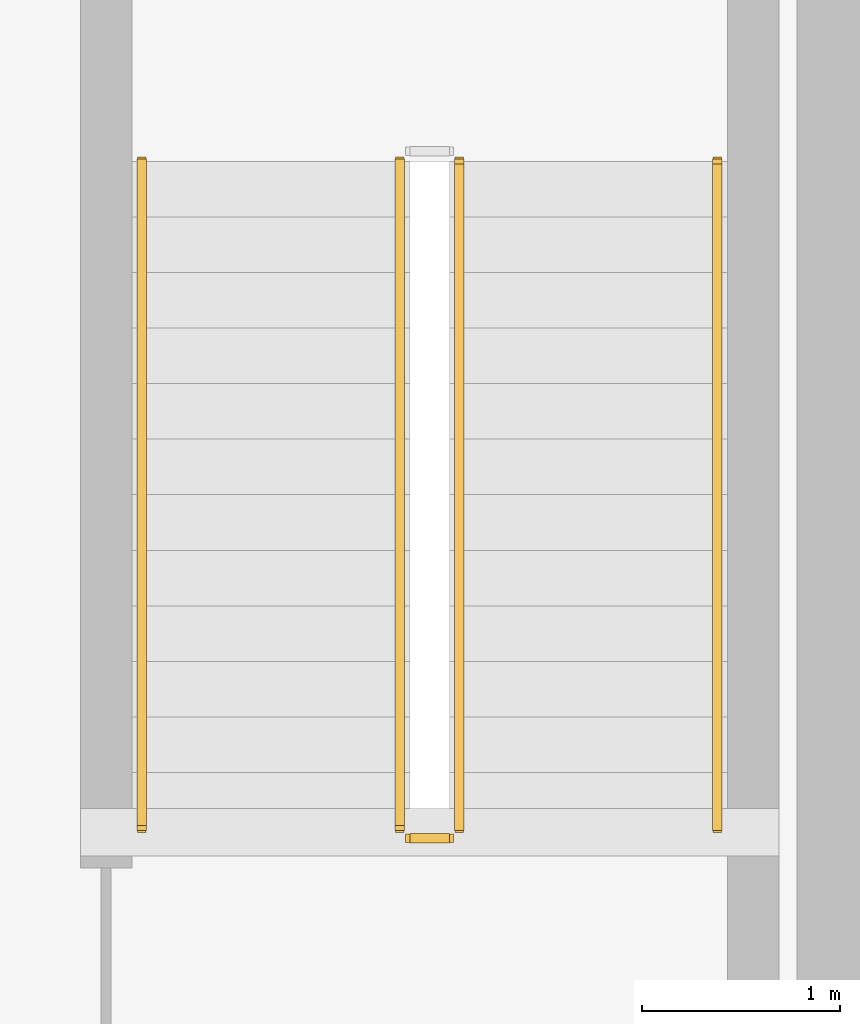
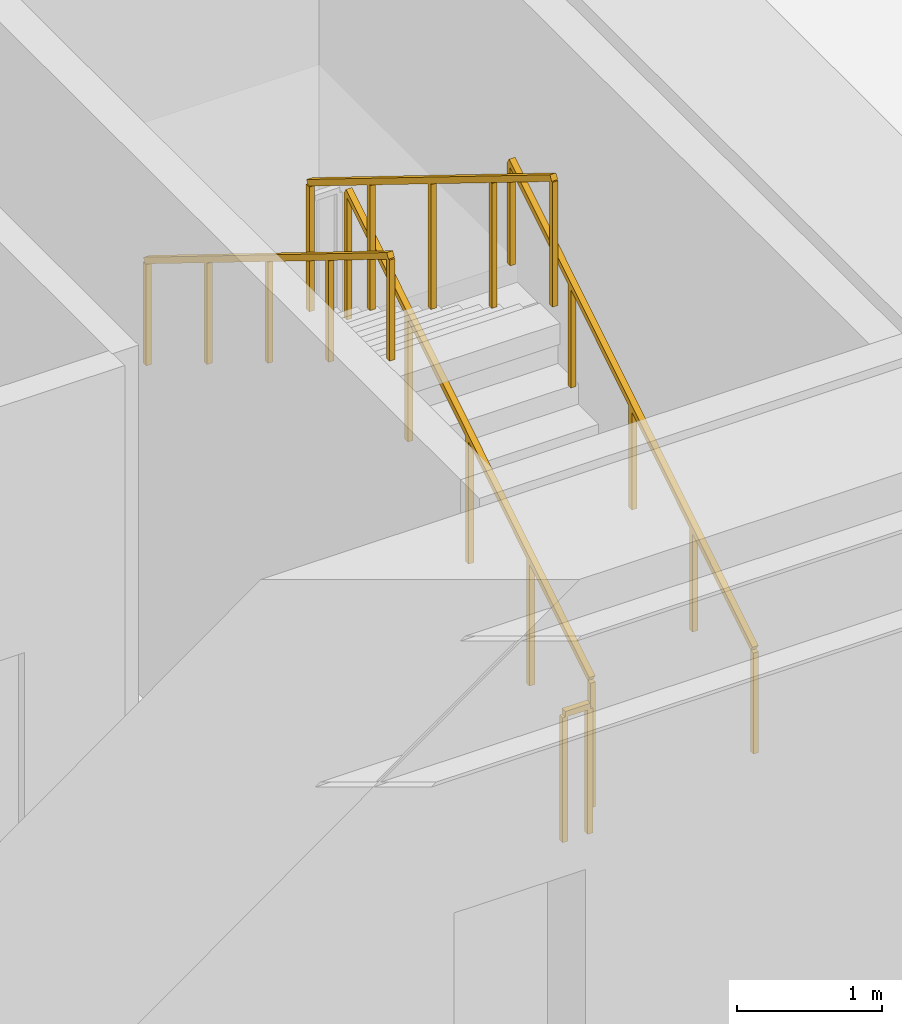
# One storey, part 14 of 20: 5 railings.
"""IFC4 building model written with IfcOpenShell, lengths in metres."""

from ifc_helpers import new_model, si_unit, direction, frame, origin, origin_2d, place, context, subcontext, project, spatial, rectangle, extrude, material, type_object, element, save


model = new_model("IFC4")

# Units and contexts
model_context = context("Model", 3, precision=1e-05, world=origin(), true_north=direction((0.0, 1.0)))
body_context = subcontext(model_context, "Body", "Model", "MODEL_VIEW")
ifc_project = project(units=[si_unit("LENGTHUNIT", "METRE"), si_unit("AREAUNIT", "SQUARE_METRE"), si_unit("VOLUMEUNIT", "CUBIC_METRE"), si_unit("PLANEANGLEUNIT", "RADIAN"), si_unit("MASSUNIT", "GRAM", prefix="KILO")], contexts=[model_context])

# Site, building, storey
site_placement = place(None, origin())
site = spatial("IfcSite", under=ifc_project, at=site_placement, CompositionType="ELEMENT")
building_placement = place(site_placement, origin())
building = spatial("IfcBuilding", under=site, at=building_placement, Name="Kiyonajd Concourse Tower", CompositionType="ELEMENT")
storey_placement = place(building_placement, frame((0.0, 0.0, -4.5)))
storey = spatial("IfcBuildingStorey", under=building, at=storey_placement, Name="B1", CompositionType="ELEMENT", Elevation=-4.5)

# Railings
ifc_material_1 = material(Name="Steel ASTM A500 Grade C", Category="steel")
railing_type_1 = type_object("IfcRailingType", Name="RL-GRD-STR", PredefinedType="GUARDRAIL", material=ifc_material_1)
railing_1_placement = place(storey_placement, frame((60.800048828125, 30.550048828125, 0.173095703125)))
element("IfcRailing", 1, at=railing_1_placement, inside=storey, type_object=railing_type_1, Name="B1 ST2 stair guard 1", PredefinedType="GUARDRAIL", context=body_context, shape_type="SweptSolid", body=[
    extrude(rectangle(XDim=0.048095703125, YDim=0.048095703125, at=origin_2d()), frame((0.0, 0.0, 1.076171875), z_axis=(0.0, 0.850606129759, 0.525803396734), x_axis=(-1.0, 0.0, 0.0)), (0.0, 0.0, 1.0), 3.949951171875),
    extrude(rectangle(XDim=0.0419921875, YDim=0.0419921875, at=origin_2d()), origin(), (0.0, 0.0, 1.0), 1.052001953125),
    extrude(rectangle(XDim=0.0419921875, YDim=0.0419921875, at=origin_2d()), frame((0.0, 0.83984375, 0.519287109375)), (0.0, 0.0, 1.0), 1.052001953125),
    extrude(rectangle(XDim=0.0419921875, YDim=0.0419921875, at=origin_2d()), frame((0.0, 1.679931640625, 1.03857421875)), (0.0, 0.0, 1.0), 1.052001953125),
    extrude(rectangle(XDim=0.0419921875, YDim=0.0419921875, at=origin_2d()), frame((0.0, 2.52001953125, 1.5576171875)), (0.0, 0.0, 1.0), 1.052001953125),
    extrude(rectangle(XDim=0.0419921875, YDim=0.0419921875, at=origin_2d()), frame((0.0, 3.35986328125, 2.076904296875)), (0.0, 0.0, 1.0), 1.052001953125),
])
railing_2_placement = place(storey_placement, frame((60.5, 33.909912109375, 2.423095703125)))
element("IfcRailing", 2, at=railing_2_placement, inside=storey, type_object=railing_type_1, Name="B1 ST2 stair guard 3", PredefinedType="GUARDRAIL", context=body_context, shape_type="SweptSolid", body=[
    extrude(rectangle(XDim=0.048095703125, YDim=0.048095703125, at=origin_2d()), frame((0.0, 0.0, 1.076171875), z_axis=(0.0, -0.850606129759, 0.525803396734), x_axis=(1.0, 0.0, 0.0)), (0.0, 0.0, 1.0), 3.949951171875),
    extrude(rectangle(XDim=0.0419921875, YDim=0.0419921875, at=origin_2d()), origin(), (0.0, 0.0, 1.0), 1.052001953125),
    extrude(rectangle(XDim=0.0419921875, YDim=0.0419921875, at=origin_2d()), frame((0.0, -0.83984375, 0.519287109375)), (0.0, 0.0, 1.0), 1.052001953125),
    extrude(rectangle(XDim=0.0419921875, YDim=0.0419921875, at=origin_2d()), frame((0.0, -1.679931640625, 1.03857421875)), (0.0, 0.0, 1.0), 1.052001953125),
    extrude(rectangle(XDim=0.0419921875, YDim=0.0419921875, at=origin_2d()), frame((0.0, -2.52001953125, 1.5576171875)), (0.0, 0.0, 1.0), 1.052001953125),
    extrude(rectangle(XDim=0.0419921875, YDim=0.0419921875, at=origin_2d()), frame((0.0, -3.35986328125, 2.076904296875)), (0.0, 0.0, 1.0), 1.052001953125),
])
railing_3_placement = place(storey_placement, frame((60.75, 30.5, 0.0)))
element("IfcRailing", 3, at=railing_3_placement, inside=storey, type_object=railing_type_1, Name="B1 ST2 stair guard 4", PredefinedType="GUARDRAIL", context=body_context, shape_type="SweptSolid", body=[
    extrude(rectangle(XDim=0.048095703125, YDim=0.048095703125, at=origin_2d()), frame((0.0, 0.0, 1.076171875), z_axis=(-1.0, 0.0, 0.0), x_axis=(0.0, -1.0, 0.0)), (0.0, 0.0, 1.0), 0.199951171875),
    extrude(rectangle(XDim=0.0419921875, YDim=0.0419921875, at=origin_2d()), origin(), (0.0, 0.0, 1.0), 1.052001953125),
    extrude(rectangle(XDim=0.0419921875, YDim=0.0419921875, at=origin_2d()), frame((-0.199951171875, 0.0, 0.0)), (0.0, 0.0, 1.0), 1.052001953125),
])
ifc_material_2 = material(Name="Brushed Stainless Steel Cab Assembly", Category="steel")
railing_type_2 = type_object("IfcRailingType", Name="RL-HND-900", PredefinedType="HANDRAIL", material=ifc_material_2)
railing_4_placement = place(storey_placement, frame((62.10009765625, 30.550048828125, 0.173095703125)))
element("IfcRailing", 4, at=railing_4_placement, inside=storey, type_object=railing_type_2, Name="B1 ST2 stair handrail 1", PredefinedType="HANDRAIL", context=body_context, shape_type="SweptSolid", body=[
    extrude(rectangle(XDim=0.048095703125, YDim=0.048095703125, at=origin_2d()), frame((0.0, 0.0, 0.8759765625), z_axis=(0.0, 0.850606129759, 0.525803396734), x_axis=(-1.0, 0.0, 0.0)), (0.0, 0.0, 1.0), 3.949951171875),
    extrude(rectangle(XDim=0.0419921875, YDim=0.0419921875, at=origin_2d()), origin(), (0.0, 0.0, 1.0), 0.851806640625),
    extrude(rectangle(XDim=0.0419921875, YDim=0.0419921875, at=origin_2d()), frame((0.0, 0.83984375, 0.519287109375)), (0.0, 0.0, 1.0), 0.851806640625),
    extrude(rectangle(XDim=0.0419921875, YDim=0.0419921875, at=origin_2d()), frame((0.0, 1.679931640625, 1.03857421875)), (0.0, 0.0, 1.0), 0.851806640625),
    extrude(rectangle(XDim=0.0419921875, YDim=0.0419921875, at=origin_2d()), frame((0.0, 2.52001953125, 1.5576171875)), (0.0, 0.0, 1.0), 0.851806640625),
    extrude(rectangle(XDim=0.0419921875, YDim=0.0419921875, at=origin_2d()), frame((0.0, 3.35986328125, 2.076904296875)), (0.0, 0.0, 1.0), 0.851806640625),
])
railing_5_placement = place(storey_placement, frame((59.199951171875, 33.909912109375, 2.423095703125)))
element("IfcRailing", 5, at=railing_5_placement, inside=storey, type_object=railing_type_2, Name="B1 ST2 stair handrail 2", PredefinedType="HANDRAIL", context=body_context, shape_type="SweptSolid", body=[
    extrude(rectangle(XDim=0.048095703125, YDim=0.048095703125, at=origin_2d()), frame((0.0, 0.0, 0.8759765625), z_axis=(0.0, -0.850606129759, 0.525803396734), x_axis=(1.0, 0.0, 0.0)), (0.0, 0.0, 1.0), 3.949951171875),
    extrude(rectangle(XDim=0.0419921875, YDim=0.0419921875, at=origin_2d()), origin(), (0.0, 0.0, 1.0), 0.851806640625),
    extrude(rectangle(XDim=0.0419921875, YDim=0.0419921875, at=origin_2d()), frame((0.0, -0.83984375, 0.519287109375)), (0.0, 0.0, 1.0), 0.851806640625),
    extrude(rectangle(XDim=0.0419921875, YDim=0.0419921875, at=origin_2d()), frame((0.0, -1.679931640625, 1.03857421875)), (0.0, 0.0, 1.0), 0.851806640625),
    extrude(rectangle(XDim=0.0419921875, YDim=0.0419921875, at=origin_2d()), frame((0.0, -2.52001953125, 1.5576171875)), (0.0, 0.0, 1.0), 0.851806640625),
    extrude(rectangle(XDim=0.0419921875, YDim=0.0419921875, at=origin_2d()), frame((0.0, -3.35986328125, 2.076904296875)), (0.0, 0.0, 1.0), 0.851806640625),
])

save(model, "model.ifc")
